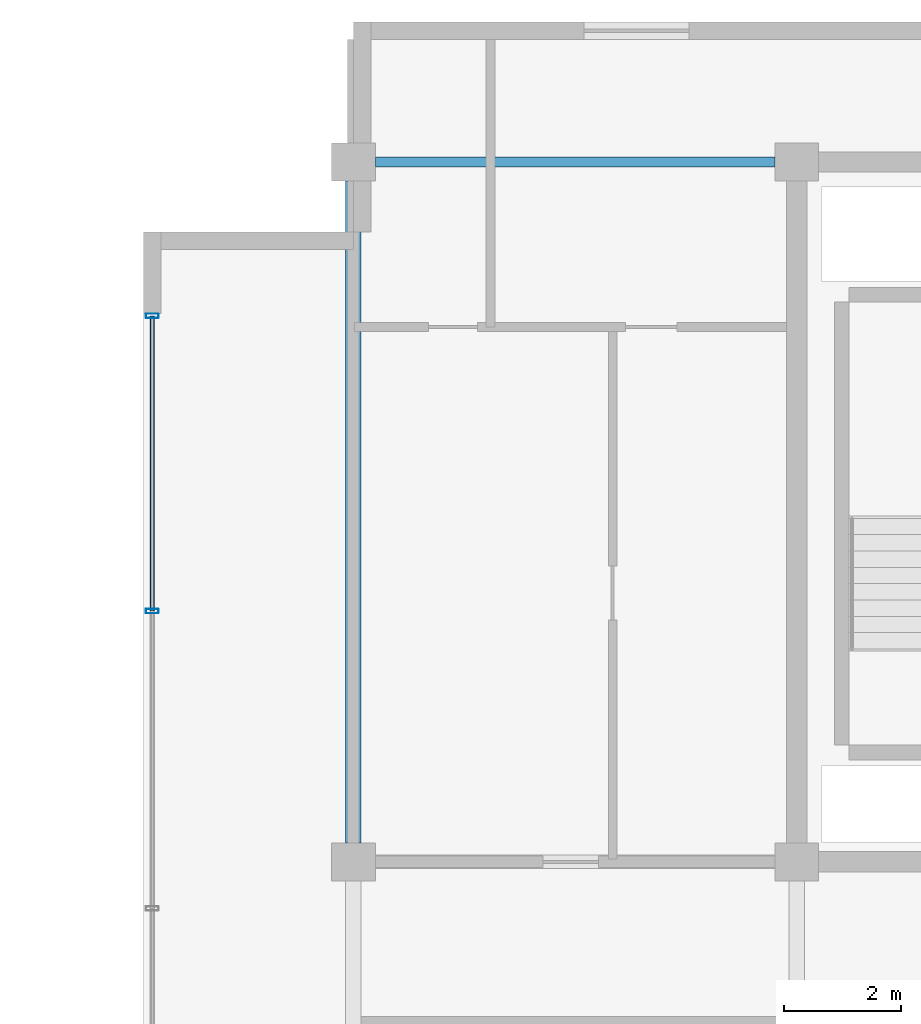
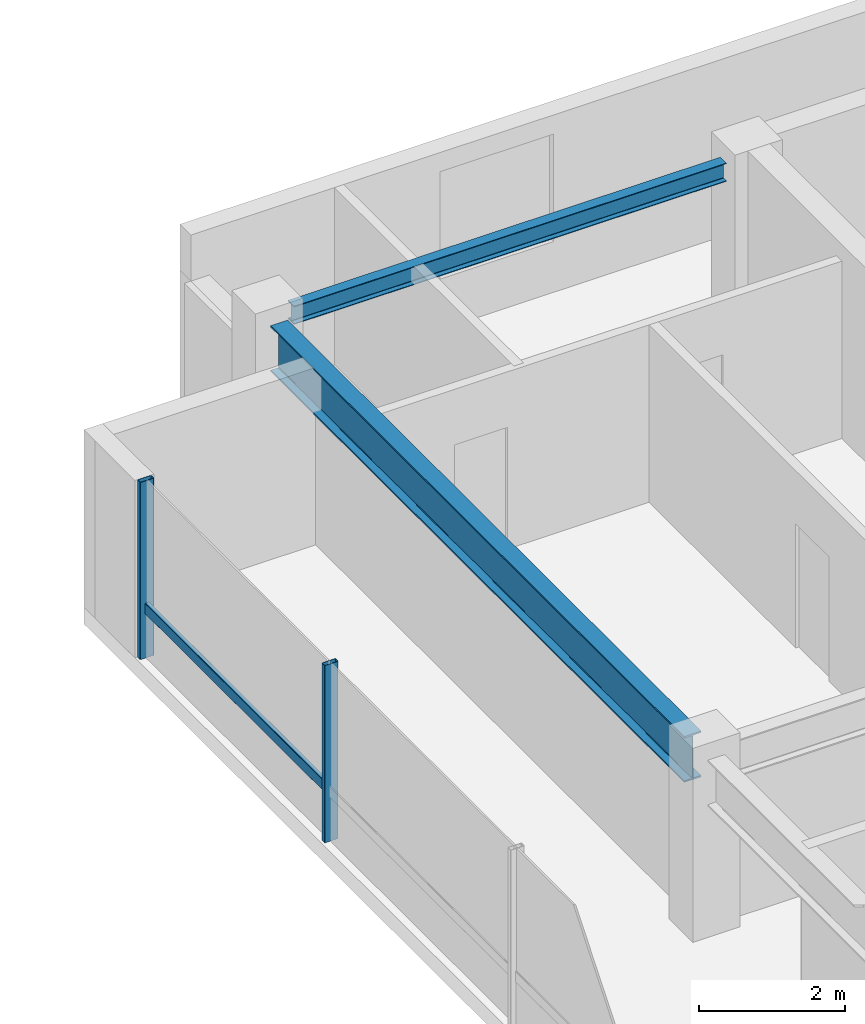
# One storey, part 6 of 30: 3 members, 2 beams, 1 element without a shape of its own.
"""IFC4 building model written with IfcOpenShell, lengths in metres."""

from ifc_helpers import new_model, si_unit, direction, frame, origin, origin_2d, place, context, subcontext, project, spatial, hollow_rectangle, i_section, extrude, material, layer, layer_set, material_profile, profile_set, type_object, element, aggregate, save


model = new_model("IFC4")

# Units and contexts
model_context = context("Model", 3, precision=1e-05, world=origin(), true_north=direction((0.0, 1.0)))
body_context = subcontext(model_context, "Body", "Model", "MODEL_VIEW")
ifc_project = project(units=[si_unit("LENGTHUNIT", "METRE"), si_unit("AREAUNIT", "SQUARE_METRE"), si_unit("VOLUMEUNIT", "CUBIC_METRE"), si_unit("PLANEANGLEUNIT", "RADIAN"), si_unit("MASSUNIT", "GRAM", prefix="KILO")], contexts=[model_context])

# Site, building, storey
site_placement = place(None, origin())
site = spatial("IfcSite", under=ifc_project, at=site_placement, CompositionType="ELEMENT")
building_placement = place(site_placement, origin())
building = spatial("IfcBuilding", under=site, at=building_placement, Name="Korimba Cascade Residences", CompositionType="ELEMENT")
storey_placement = place(building_placement, frame((0.0, 0.0, 201.10009765625)))
storey = spatial("IfcBuildingStorey", under=building, at=storey_placement, Name="L58", CompositionType="ELEMENT", Elevation=201.10009765625)

# Beams
ifc_material_1 = material(Name="Steel S355", Category="steel")
ifc_material_profile_1 = material_profile(ifc_material_1, i_section(OverallWidth=0.165771484375, OverallDepth=0.306640625, WebThickness=0.006591796875, FlangeThickness=0.01171875, FilletRadius=0.0087890625, at=origin_2d()), Name="Steel S355")
ifc_profile_set_1 = profile_set([ifc_material_profile_1], Name="Steel S355")
beam_type_1 = type_object("IfcBeamType", Name="BM-STL-UB305", PredefinedType="SPANDREL", material=ifc_profile_set_1)
beam_1_placement = place(storey_placement, frame((74.875, 30.39990234375, 2.816650390625), z_axis=(1.0, 0.0, 0.0), x_axis=(0.0, 1.0, 0.0)))
element("IfcBeam", 1, at=beam_1_placement, inside=storey, type_object=beam_type_1, Name="L58 T2 E-W Girder Y4 Bay 1", PredefinedType="SPANDREL", context=body_context, shape_type="SweptSolid", body=[
    extrude(i_section(OverallWidth=0.165771484375, OverallDepth=0.306640625, WebThickness=0.006591796875, FlangeThickness=0.01171875, FilletRadius=0.0087890625, at=origin_2d()), origin(), (0.0, 0.0, 1.0), 6.85009765625),
])
ifc_material_profile_2 = material_profile(ifc_material_1, i_section(OverallWidth=0.26806640625, OverallDepth=0.769775390625, WebThickness=0.015625, FlangeThickness=0.025390625, FilletRadius=0.0166015625, at=origin_2d()), Name="Steel S355")
ifc_profile_set_2 = profile_set([ifc_material_profile_2], Name="Steel S355")
beam_type_2 = type_object("IfcBeamType", Name="BM-STL-UB762", PredefinedType="BEAM", material=ifc_profile_set_2)
beam_2_placement = place(storey_placement, frame((74.5, 18.72509765625, 2.5849609375), z_axis=(0.0, 1.0, 0.0), x_axis=(-1.0, 0.0, 0.0)))
element("IfcBeam", 2, at=beam_2_placement, inside=storey, type_object=beam_type_2, Name="L58 T2 N-S Girder X1 Seg 3", PredefinedType="BEAM", context=body_context, shape_type="SweptSolid", body=[
    extrude(i_section(OverallWidth=0.26806640625, OverallDepth=0.769775390625, WebThickness=0.015625, FlangeThickness=0.025390625, FilletRadius=0.0166015625, at=origin_2d()), origin(), (0.0, 0.0, 1.0), 11.349853515625),
])

# Curtain wall, members
ifc_material_2 = material(Name="Anodised Aluminium Curtain Wall Framing", Category="aluminium")
ifc_layer = layer(ifc_material_2, 0.179931640625)
ifc_layer_set = layer_set([ifc_layer], Name="Anodised Aluminium Curtain Wall Framing")
curtain_wall_type = type_object("IfcCurtainWallType", Name="CW-SKY-SYS2", PredefinedType="NOTDEFINED", material=ifc_layer_set)
curtain_wall_placement = place(storey_placement, origin())
curtain_wall = element("IfcCurtainWall", 3, at=curtain_wall_placement, inside=storey, type_object=curtain_wall_type, Name="L58 Curtain Wall CW-L58-T2-E9", PredefinedType="NOTDEFINED")
ifc_material_3 = material(Name="Anodised Aluminium Mullion", Category="aluminium")
ifc_material_profile_3 = material_profile(ifc_material_3, hollow_rectangle(XDim=0.080078125, YDim=0.219970703125, WallThickness=0.00634765625, InnerFilletRadius=0.00634765625, OuterFilletRadius=0.0126953125, at=origin_2d()), Name="Anodised Aluminium Mullion")
ifc_profile_set_3 = profile_set([ifc_material_profile_3], Name="Anodised Aluminium Mullion")
member_type_1 = type_object("IfcMemberType", Name="CWM-MUL-220", PredefinedType="MULLION", material=ifc_profile_set_3)
member_1_placement = place(storey_placement, frame((71.050048828125, 27.760009765625, 0.0), z_axis=(0.0, 0.0, 1.0), x_axis=(0.0, -1.0, 0.0)))
member_1 = element("IfcMember", 4, at=member_1_placement, type_object=member_type_1, Name="CW-L58-T2-E9 Mullion 1", PredefinedType="MULLION", context=body_context, shape_type="SweptSolid", body=[
    extrude(hollow_rectangle(XDim=0.080078125, YDim=0.219970703125, WallThickness=0.00634765625, InnerFilletRadius=0.00634765625, OuterFilletRadius=0.0126953125, at=origin_2d()), origin(), (0.0, 0.0, 1.0), 2.969970703125),
])
member_2_placement = place(storey_placement, frame((71.050048828125, 22.699951171875, 0.0), z_axis=(0.0, 0.0, 1.0), x_axis=(0.0, -1.0, 0.0)))
member_2 = element("IfcMember", 5, at=member_2_placement, type_object=member_type_1, Name="CW-L58-T2-E9 Mullion 2", PredefinedType="MULLION", context=body_context, shape_type="SweptSolid", body=[
    extrude(hollow_rectangle(XDim=0.080078125, YDim=0.219970703125, WallThickness=0.00634765625, InnerFilletRadius=0.00634765625, OuterFilletRadius=0.0126953125, at=origin_2d()), origin(), (0.0, 0.0, 1.0), 2.969970703125),
])
ifc_material_4 = material(Name="Anodised Aluminium Transom", Category="aluminium")
ifc_material_profile_4 = material_profile(ifc_material_4, hollow_rectangle(XDim=0.070068359375, YDim=0.179931640625, WallThickness=0.0048828125, InnerFilletRadius=0.0048828125, OuterFilletRadius=0.010009765625, at=origin_2d()), Name="Anodised Aluminium Transom")
ifc_profile_set_4 = profile_set([ifc_material_profile_4], Name="Anodised Aluminium Transom")
member_type_2 = type_object("IfcMemberType", Name="CWM-TRN-150", PredefinedType="USERDEFINED", material=ifc_profile_set_4)
member_3_placement = place(storey_placement, frame((71.050048828125, 27.760009765625, 0.83154296875), z_axis=(0.0, -1.0, 0.0), x_axis=(1.0, 0.0, 0.0)))
member_3 = element("IfcMember", 6, at=member_3_placement, type_object=member_type_2, Name="CW-L58-T2-E9 Transom 1", ObjectType="TRANSOM", PredefinedType="USERDEFINED", context=body_context, shape_type="SweptSolid", body=[
    extrude(hollow_rectangle(XDim=0.070068359375, YDim=0.179931640625, WallThickness=0.0048828125, InnerFilletRadius=0.0048828125, OuterFilletRadius=0.010009765625, at=origin_2d()), origin(), (0.0, 0.0, 1.0), 5.06005859375),
])
aggregate(curtain_wall, [member_1, member_2, member_3])

save(model, "model.ifc")
